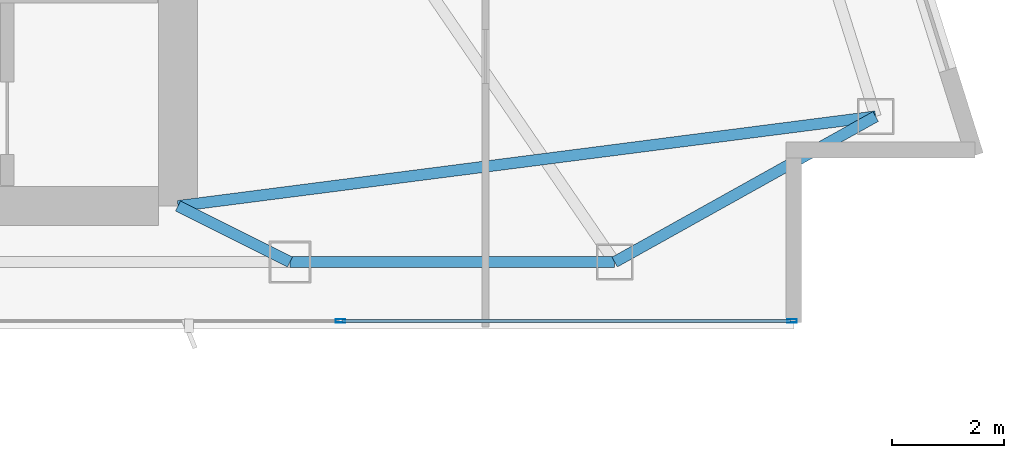
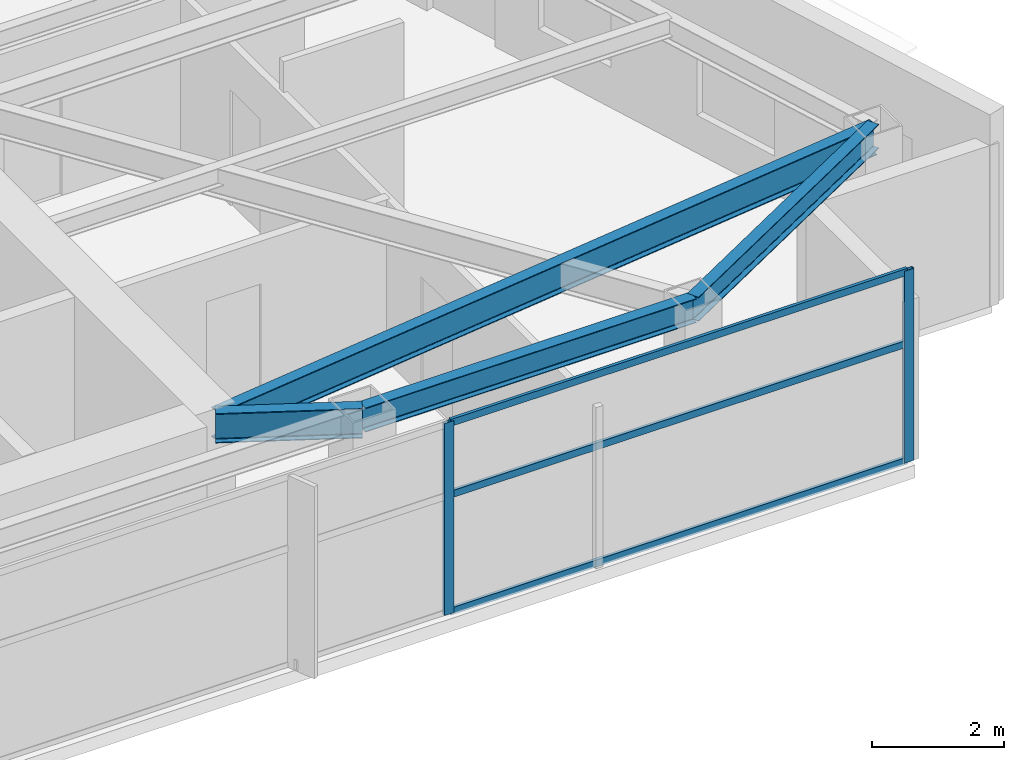
# One storey, part 14 of 29: 5 members, 4 beams, 1 element without a shape of its own.
"""IFC4 building model written with IfcOpenShell, lengths in metres."""

from ifc_helpers import new_model, si_unit, direction, frame, origin, origin_2d, place, context, subcontext, project, spatial, hollow_rectangle, i_section, extrude, material, layer, layer_set, material_profile, profile_set, type_object, element, aggregate, save


model = new_model("IFC4")

# Units and contexts
model_context = context("Model", 3, precision=1e-05, world=origin(), true_north=direction((0.0, 1.0)))
body_context = subcontext(model_context, "Body", "Model", "MODEL_VIEW")
ifc_project = project(units=[si_unit("LENGTHUNIT", "METRE"), si_unit("AREAUNIT", "SQUARE_METRE"), si_unit("VOLUMEUNIT", "CUBIC_METRE"), si_unit("PLANEANGLEUNIT", "RADIAN"), si_unit("MASSUNIT", "GRAM", prefix="KILO")], contexts=[model_context])

# Site, building, storey
site_placement = place(None, origin())
site = spatial("IfcSite", under=ifc_project, at=site_placement, CompositionType="ELEMENT")
building_placement = place(site_placement, origin())
building = spatial("IfcBuilding", under=site, at=building_placement, Name="Calvorn Quay Hotel", CompositionType="ELEMENT")
storey_placement = place(building_placement, frame((0.0, 0.0, 247.60009765625)))
storey = spatial("IfcBuildingStorey", under=building, at=storey_placement, Name="L61", CompositionType="ELEMENT", Elevation=247.60009765625)

# Beams
ifc_material_1 = material(Name="Steel Q355B", Category="steel")
ifc_material_profile_1 = material_profile(ifc_material_1, i_section(OverallWidth=0.199951171875, OverallDepth=0.550048828125, WebThickness=0.010009765625, FlangeThickness=0.01611328125, FilletRadius=0.01806640625, at=origin_2d()), Name="HN550x200x10x16")
ifc_profile_set_1 = profile_set([ifc_material_profile_1], Name="Steel Q355B")
beam_type_1 = type_object("IfcBeamType", Name="BM-GIRD-UPP", PredefinedType="BEAM", material=ifc_profile_set_1)
beam_1_placement = place(storey_placement, frame((34.39990234375, 3.60009765625, 3.264892578125), z_axis=(-0.894427191, 0.4472135955, 0.0), x_axis=(-0.4472135955, -0.894427191, 0.0)))
element("IfcBeam", 1, at=beam_1_placement, inside=storey, type_object=beam_type_1, Name="Beam BG-L61-S3", PredefinedType="BEAM", context=body_context, shape_type="SweptSolid", body=[
    extrude(i_section(OverallWidth=0.199951171875, OverallDepth=0.550048828125, WebThickness=0.010009765625, FlangeThickness=0.01611328125, FilletRadius=0.01806640625, at=origin_2d()), origin(), (0.0, 0.0, 1.0), 2.236083984375),
])
beam_2_placement = place(storey_placement, frame((32.39990234375, 4.60009765625, 3.264892578125), z_axis=(0.991858897847, 0.12734177147, 0.0), x_axis=(-0.12734177147, 0.991858897847, 0.0)))
element("IfcBeam", 2, at=beam_2_placement, inside=storey, type_object=beam_type_1, Name="Beam BG-L61-E1", PredefinedType="BEAM", context=body_context, shape_type="SweptSolid", body=[
    extrude(i_section(OverallWidth=0.199951171875, OverallDepth=0.550048828125, WebThickness=0.010009765625, FlangeThickness=0.01611328125, FilletRadius=0.01806640625, at=origin_2d()), origin(), (0.0, 0.0, 1.0), 12.5634765625),
])
ifc_material_2 = material(Name="Steel Q355B", Category="steel")
ifc_material_profile_2 = material_profile(ifc_material_2, i_section(OverallWidth=0.199951171875, OverallDepth=0.449951171875, WebThickness=0.009033203125, FlangeThickness=0.013916015625, FilletRadius=0.01611328125, at=origin_2d()), Name="HN450x200x9x14")
ifc_profile_set_2 = profile_set([ifc_material_profile_2], Name="Steel Q355B")
beam_type_2 = type_object("IfcBeamType", Name="BM-SPANDREL-Z3", PredefinedType="SPANDREL", material=ifc_profile_set_2)
beam_3_placement = place(storey_placement, frame((34.39990234375, 3.60009765625, 3.31494140625), z_axis=(1.0, 0.0, 0.0), x_axis=(0.0, 1.0, 0.0)))
element("IfcBeam", 3, at=beam_3_placement, inside=storey, type_object=beam_type_2, Name="Beam BSP-L61-S4", PredefinedType="SPANDREL", context=body_context, shape_type="SweptSolid", body=[
    extrude(i_section(OverallWidth=0.199951171875, OverallDepth=0.449951171875, WebThickness=0.009033203125, FlangeThickness=0.013916015625, FilletRadius=0.01611328125, at=origin_2d()), origin(), (0.0, 0.0, 1.0), 5.800048828125),
])
beam_4_placement = place(storey_placement, frame((40.199951171875, 3.60009765625, 3.31494140625), z_axis=(0.873333936204, 0.487121992805, 0.0), x_axis=(-0.487121992805, 0.873333936204, 0.0)))
element("IfcBeam", 4, at=beam_4_placement, inside=storey, type_object=beam_type_2, Name="Beam BSP-L61-S5", PredefinedType="SPANDREL", context=body_context, shape_type="SweptSolid", body=[
    extrude(i_section(OverallWidth=0.199951171875, OverallDepth=0.449951171875, WebThickness=0.009033203125, FlangeThickness=0.013916015625, FilletRadius=0.01611328125, at=origin_2d()), origin(), (0.0, 0.0, 1.0), 5.337158203125),
])

# Curtain wall, members
ifc_material_3 = material(Name="Champagne Bronze Anodised Aluminium and Low-E Glass", Category="aluminium")
ifc_layer = layer(ifc_material_3, 0.219970703125)
ifc_layer_set = layer_set([ifc_layer], Name="CW-SYS-Z4")
curtain_wall_type = type_object("IfcCurtainWallType", Name="CW-SYS-Z4", PredefinedType="NOTDEFINED", material=ifc_layer_set)
curtain_wall_placement = place(storey_placement, origin())
curtain_wall = element("IfcCurtainWall", 5, at=curtain_wall_placement, inside=storey, type_object=curtain_wall_type, Name="Tower South Waterfront Curtain Wall (L61)", PredefinedType="NOTDEFINED")
ifc_material_4 = material(Name="Champagne Bronze Anodised Aluminium 6063-T6", Category="aluminium")
ifc_material_profile_3 = material_profile(ifc_material_4, hollow_rectangle(XDim=0.06494140625, YDim=0.169921875, WallThickness=0.00341796875, at=origin_2d()), Name="ALU-M170x65x3.5")
ifc_profile_set_3 = profile_set([ifc_material_profile_3], Name="Champagne Bronze Anodised Aluminium 6063-T6")
member_type_1 = type_object("IfcMemberType", Name="CW-SYS-Z4-MUL", PredefinedType="MULLION", material=ifc_profile_set_3)
member_1_placement = place(storey_placement, frame((35.300048828125, 2.550048828125, 0.0), z_axis=(0.0, 0.0, 1.0), x_axis=(0.0, 1.0, 0.0)))
member_1 = element("IfcMember", 6, at=member_1_placement, type_object=member_type_1, Name="CW-L61-S mullion 4", PredefinedType="MULLION", context=body_context, shape_type="SweptSolid", body=[
    extrude(hollow_rectangle(XDim=0.06494140625, YDim=0.169921875, WallThickness=0.00341796875, at=origin_2d()), origin(), (0.0, 0.0, 1.0), 3.559814453125),
])
member_2_placement = place(storey_placement, frame((43.3701171875, 2.550048828125, 0.0), z_axis=(0.0, 0.0, 1.0), x_axis=(0.0, 1.0, 0.0)))
member_2 = element("IfcMember", 7, at=member_2_placement, type_object=member_type_1, Name="CW-L61-S mullion 5", PredefinedType="MULLION", context=body_context, shape_type="SweptSolid", body=[
    extrude(hollow_rectangle(XDim=0.06494140625, YDim=0.169921875, WallThickness=0.00341796875, at=origin_2d()), origin(), (0.0, 0.0, 1.0), 3.559814453125),
])
ifc_material_5 = material(Name="Champagne Bronze Anodised Aluminium 6063-T6", Category="aluminium")
ifc_material_profile_4 = material_profile(ifc_material_5, hollow_rectangle(XDim=0.054931640625, YDim=0.1298828125, WallThickness=0.003173828125, at=origin_2d()), Name="ALU-T130x55x3.2")
ifc_profile_set_4 = profile_set([ifc_material_profile_4], Name="Champagne Bronze Anodised Aluminium 6063-T6")
member_type_2 = type_object("IfcMemberType", Name="CW-SYS-Z4-TRN", PredefinedType="USERDEFINED", material=ifc_profile_set_4)
member_3_placement = place(storey_placement, frame((35.330078125, 2.550048828125, 0.02978515625), z_axis=(1.0, 0.0, 0.0), x_axis=(0.0, 1.0, 0.0)))
member_3 = element("IfcMember", 8, at=member_3_placement, type_object=member_type_2, Name="CW-L61-S transom 4.1", ObjectType="TRANSOM", PredefinedType="USERDEFINED", context=body_context, shape_type="SweptSolid", body=[
    extrude(hollow_rectangle(XDim=0.054931640625, YDim=0.1298828125, WallThickness=0.003173828125, at=origin_2d()), origin(), (0.0, 0.0, 1.0), 8.010009765625),
])
member_4_placement = place(storey_placement, frame((35.330078125, 2.550048828125, 2.199951171875), z_axis=(1.0, 0.0, 0.0), x_axis=(0.0, 1.0, 0.0)))
member_4 = element("IfcMember", 9, at=member_4_placement, type_object=member_type_2, Name="CW-L61-S transom 4.2", ObjectType="TRANSOM", PredefinedType="USERDEFINED", context=body_context, shape_type="SweptSolid", body=[
    extrude(hollow_rectangle(XDim=0.054931640625, YDim=0.1298828125, WallThickness=0.003173828125, at=origin_2d()), origin(), (0.0, 0.0, 1.0), 8.010009765625),
])
member_5_placement = place(storey_placement, frame((35.330078125, 2.550048828125, 3.52978515625), z_axis=(1.0, 0.0, 0.0), x_axis=(0.0, 1.0, 0.0)))
member_5 = element("IfcMember", 10, at=member_5_placement, type_object=member_type_2, Name="CW-L61-S transom 4.3", ObjectType="TRANSOM", PredefinedType="USERDEFINED", context=body_context, shape_type="SweptSolid", body=[
    extrude(hollow_rectangle(XDim=0.054931640625, YDim=0.1298828125, WallThickness=0.003173828125, at=origin_2d()), origin(), (0.0, 0.0, 1.0), 8.010009765625),
])
aggregate(curtain_wall, [member_1, member_2, member_3, member_4, member_5])

save(model, "model.ifc")
